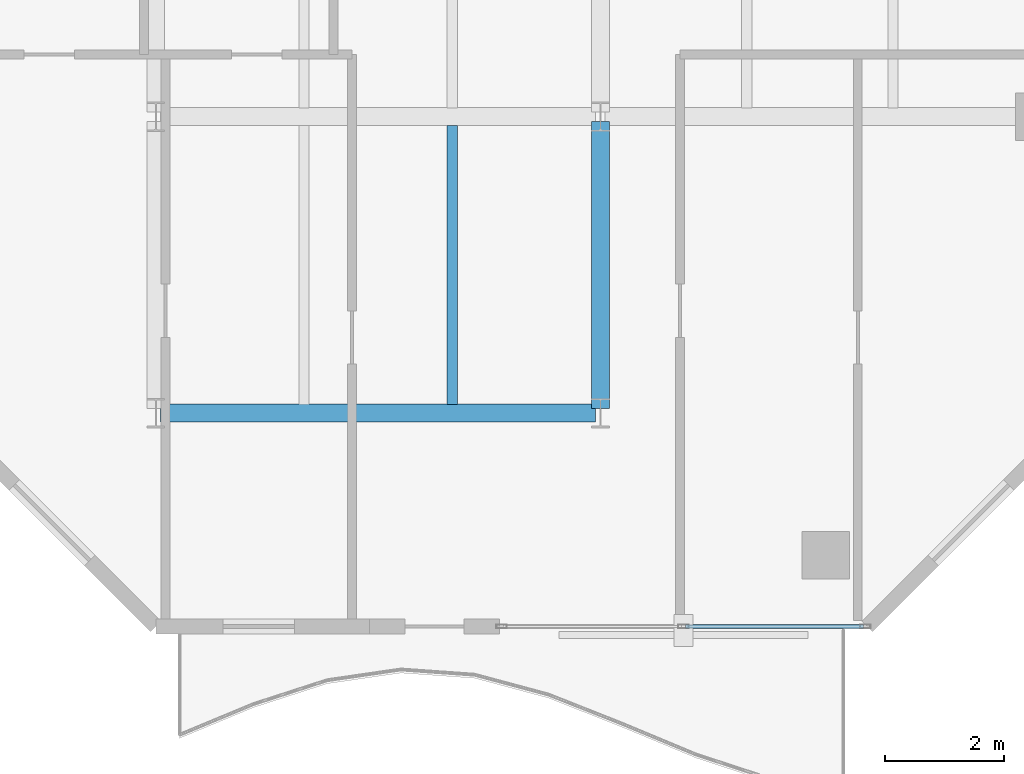
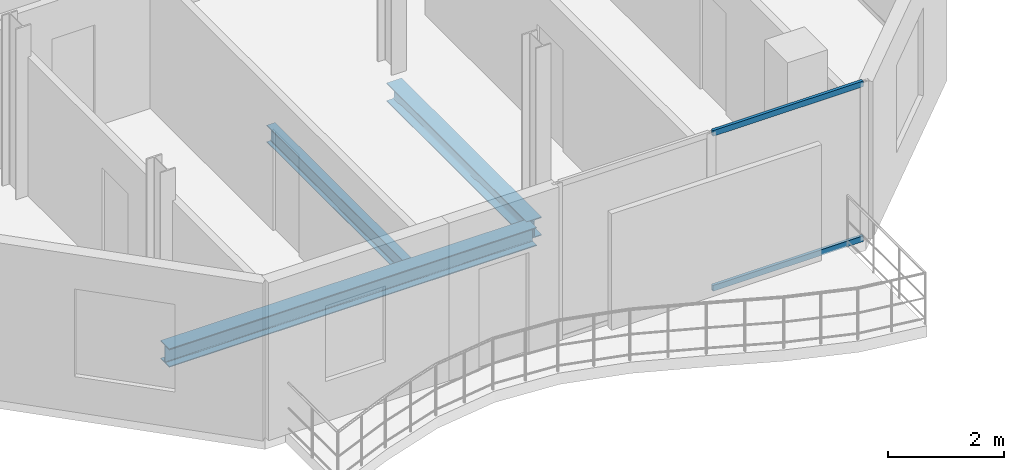
# One storey, part 4 of 24: 3 beams, 2 members, 1 element without a shape of its own.
"""IFC4 building model written with IfcOpenShell, lengths in metres."""

from ifc_helpers import new_model, si_unit, direction, frame, origin, origin_2d, place, context, subcontext, project, spatial, hollow_rectangle, i_section, extrude, material, layer, layer_set, material_profile, profile_set, type_object, element, aggregate, save


model = new_model("IFC4")

# Units and contexts
model_context = context("Model", 3, precision=1e-05, world=origin(), true_north=direction((0.0, 1.0)))
body_context = subcontext(model_context, "Body", "Model", "MODEL_VIEW")
ifc_project = project(units=[si_unit("LENGTHUNIT", "METRE"), si_unit("AREAUNIT", "SQUARE_METRE"), si_unit("VOLUMEUNIT", "CUBIC_METRE"), si_unit("PLANEANGLEUNIT", "RADIAN"), si_unit("MASSUNIT", "GRAM", prefix="KILO")], contexts=[model_context])

# Site, building, storey
site_placement = place(None, origin())
site = spatial("IfcSite", under=ifc_project, at=site_placement, CompositionType="ELEMENT")
building_placement = place(site_placement, origin())
building = spatial("IfcBuilding", under=site, at=building_placement, Name="Catumbela Crestline Tower", CompositionType="ELEMENT")
storey_placement = place(building_placement, frame((0.0, 0.0, 161.4)))
storey = spatial("IfcBuildingStorey", under=building, at=storey_placement, Name="L41", CompositionType="ELEMENT", Elevation=161.4)

# Beams
ifc_material_1 = material(Name="Structural steel S355J2", Category="steel")
ifc_material_profile_1 = material_profile(ifc_material_1, i_section(OverallWidth=0.3, OverallDepth=0.39, WebThickness=0.011, FlangeThickness=0.019, FilletRadius=0.027, at=origin_2d()), Name="HEA 400")
ifc_profile_set_1 = profile_set([ifc_material_profile_1], Name="Structural steel S355J2")
beam_type_1 = type_object("IfcBeamType", Name="BG-HEA400", PredefinedType="BEAM", material=ifc_profile_set_1)
beam_1_placement = place(storey_placement, frame((8.58, 8.6, -0.455), z_axis=(1.0, 0.0, 0.0), x_axis=(0.0, 1.0, 0.0)))
element("IfcBeam", 1, at=beam_1_placement, inside=storey, type_object=beam_type_1, Name="L41 Beam BM-L41-WEW32", PredefinedType="BEAM", context=body_context, shape_type="SweptSolid", body=[
    extrude(i_section(OverallWidth=0.3, OverallDepth=0.39, WebThickness=0.011, FlangeThickness=0.019, FilletRadius=0.027, at=origin_2d()), origin(), (0.0, 0.0, 1.0), 7.34),
])
beam_2_placement = place(storey_placement, frame((16.0, 8.68, -0.455), z_axis=(0.0, 1.0, 0.0), x_axis=(-1.0, 0.0, 0.0)))
element("IfcBeam", 2, at=beam_2_placement, inside=storey, type_object=beam_type_1, Name="L41 Beam BM-L41-WNS40", PredefinedType="BEAM", context=body_context, shape_type="SweptSolid", body=[
    extrude(i_section(OverallWidth=0.3, OverallDepth=0.39, WebThickness=0.011, FlangeThickness=0.019, FilletRadius=0.027, at=origin_2d()), origin(), (0.0, 0.0, 1.0), 4.84),
])
ifc_material_profile_2 = material_profile(ifc_material_1, i_section(OverallWidth=0.17, OverallDepth=0.36, WebThickness=0.008, FlangeThickness=0.0127, FilletRadius=0.018, at=origin_2d()), Name="IPE 360")
ifc_profile_set_2 = profile_set([ifc_material_profile_2], Name="Structural steel S355J2")
beam_type_2 = type_object("IfcBeamType", Name="BJ-IPE360", PredefinedType="JOIST", material=ifc_profile_set_2)
beam_3_placement = place(storey_placement, frame((13.5, 8.747, -0.44), z_axis=(0.0, 1.0, 0.0), x_axis=(-1.0, 0.0, 0.0)))
element("IfcBeam", 3, at=beam_3_placement, inside=storey, type_object=beam_type_2, Name="L41 Joist JS-L41-WG45", PredefinedType="JOIST", context=body_context, shape_type="SweptSolid", body=[
    extrude(i_section(OverallWidth=0.17, OverallDepth=0.36, WebThickness=0.008, FlangeThickness=0.0127, FilletRadius=0.018, at=origin_2d()), origin(), (0.0, 0.0, 1.0), 4.706),
])

# Curtain wall, members
ifc_material_2 = material(Name="Aluminium alloy AW-6060-T66", Category="aluminium")
ifc_layer = layer(ifc_material_2, 0.18, Name="Aluminium alloy AW-6060-T66")
ifc_layer_set = layer_set([ifc_layer], Name="Aluminium alloy AW-6060-T66")
curtain_wall_type = type_object("IfcCurtainWallType", Name="CWU-Z3", PredefinedType="USERDEFINED", material=ifc_layer_set)
curtain_wall_placement = place(storey_placement, origin())
curtain_wall = element("IfcCurtainWall", 4, at=curtain_wall_placement, inside=storey, type_object=curtain_wall_type, Name="L41 Unitised Curtain Wall CW-L41-E0S2", ObjectType="UNITISED", PredefinedType="USERDEFINED")
ifc_material_profile_3 = material_profile(ifc_material_2, hollow_rectangle(XDim=0.06, YDim=0.12, WallThickness=0.0035, at=origin_2d()), Name="ALU 120x60x3.5")
ifc_profile_set_3 = profile_set([ifc_material_profile_3], Name="Aluminium alloy AW-6060-T66")
member_type = type_object("IfcMemberType", Name="TRN-120X60", PredefinedType="USERDEFINED", material=ifc_profile_set_3)
member_1_placement = place(storey_placement, frame((17.4325, 5.0, 0.03), z_axis=(1.0, 0.0, 0.0), x_axis=(0.0, 1.0, 0.0)))
member_1 = element("IfcMember", 5, at=member_1_placement, type_object=member_type, Name="CWU-Z3 transom 2.1", ObjectType="TRANSOM", PredefinedType="USERDEFINED", context=body_context, shape_type="SweptSolid", body=[
    extrude(hollow_rectangle(XDim=0.06, YDim=0.12, WallThickness=0.0035, at=origin_2d()), origin(), (0.0, 0.0, 1.0), 3.0025),
])
member_2_placement = place(storey_placement, frame((17.4325, 5.0, 3.3), z_axis=(1.0, 0.0, 0.0), x_axis=(0.0, 1.0, 0.0)))
member_2 = element("IfcMember", 6, at=member_2_placement, type_object=member_type, Name="CWU-Z3 transom 2.2", ObjectType="TRANSOM", PredefinedType="USERDEFINED", context=body_context, shape_type="SweptSolid", body=[
    extrude(hollow_rectangle(XDim=0.06, YDim=0.12, WallThickness=0.0035, at=origin_2d()), origin(), (0.0, 0.0, 1.0), 3.0025),
])
aggregate(curtain_wall, [member_1, member_2])

save(model, "model.ifc")
